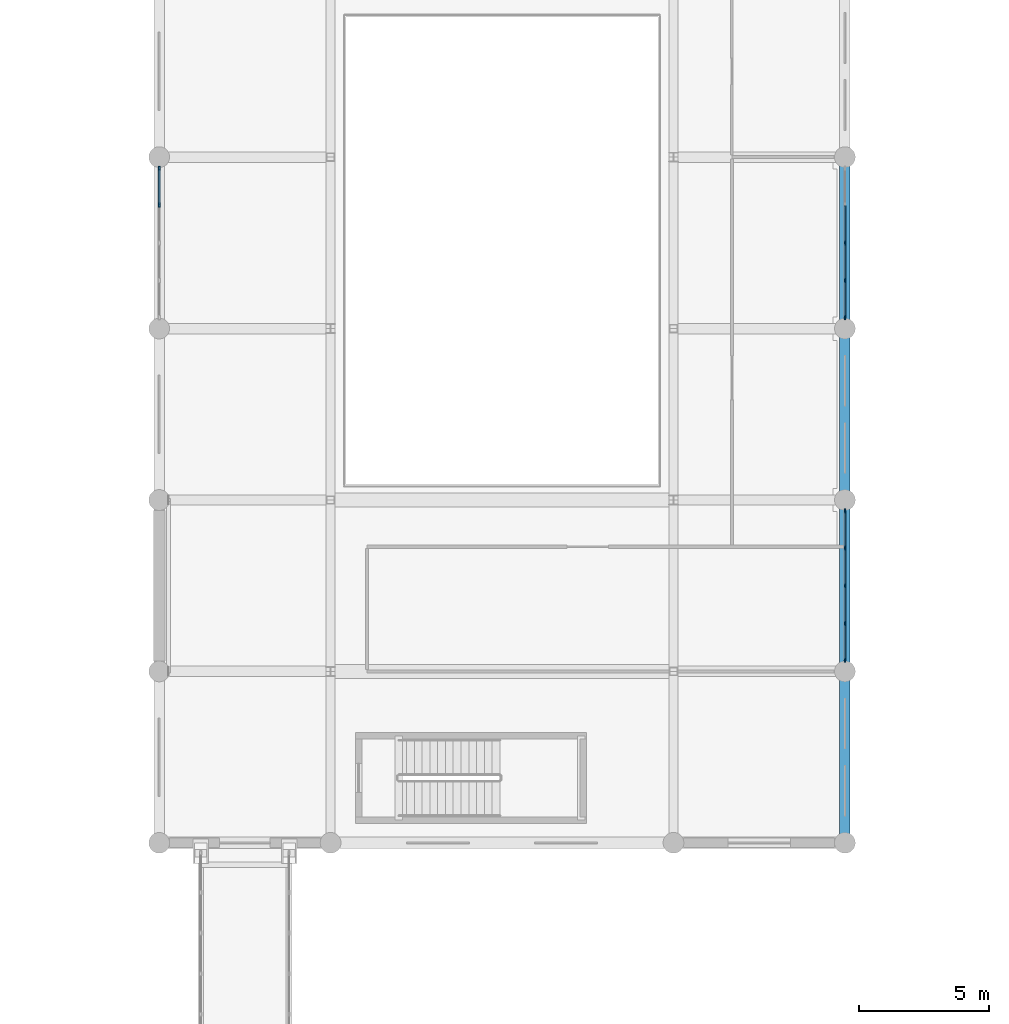
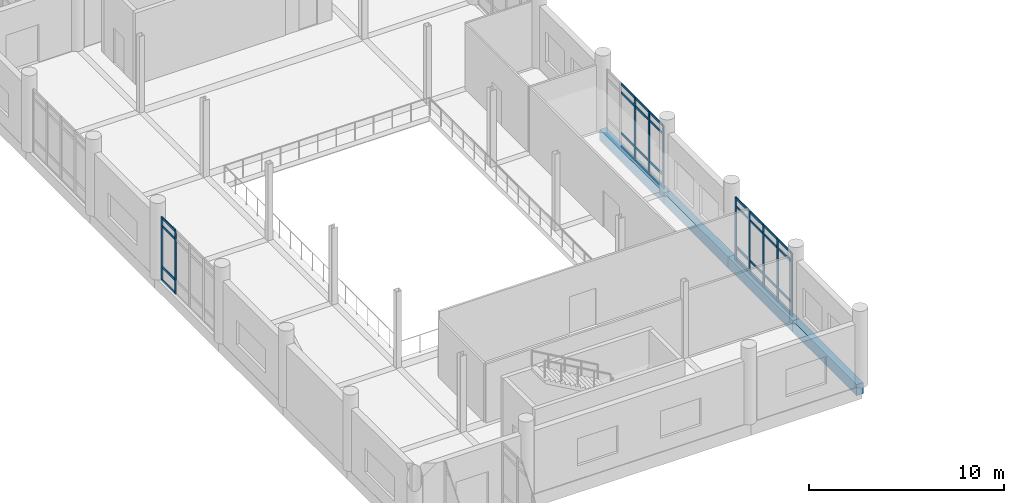
# One storey, part 22 of 101: 42 members, 4 beams, 3 elements without a shape of their own.
"""IFC4 building model written with IfcOpenShell, lengths in metres."""

from ifc_helpers import new_model, si_unit, direction, frame, origin, origin_2d, place, context, subcontext, project, spatial, rectangle, extrude, material, material_profile, profile_set, type_object, element, aggregate, save


model = new_model("IFC4")

# Units and contexts
model_context = context("Model", 3, precision=1e-05, world=origin(), true_north=direction((0.0, 1.0)))
body_context = subcontext(model_context, "Body", "Model", "MODEL_VIEW")
ifc_project = project(units=[si_unit("LENGTHUNIT", "METRE"), si_unit("AREAUNIT", "SQUARE_METRE"), si_unit("VOLUMEUNIT", "CUBIC_METRE"), si_unit("PLANEANGLEUNIT", "RADIAN"), si_unit("MASSUNIT", "GRAM", prefix="KILO")], contexts=[model_context])

# Site, building, storey
site_placement = place(None, origin())
site = spatial("IfcSite", under=ifc_project, at=site_placement, CompositionType="ELEMENT")
building_placement = place(site_placement, origin())
building = spatial("IfcBuilding", under=site, at=building_placement, Name="Dornvale Research Institute", CompositionType="ELEMENT")
storey_placement = place(building_placement, frame((0.0, 0.0, 10.199951171875)))
storey = spatial("IfcBuildingStorey", under=building, at=storey_placement, Name="L02", CompositionType="ELEMENT", Elevation=10.199951171875)

# Curtain wall, members
ifc_material_1 = material(Name="Low-E Argon Double Insulating Glazing Unit", Category="glass")
curtain_wall_type = type_object("IfcCurtainWallType", Name="UnitisedCurtainWall_V2_5810x3950", PredefinedType="USERDEFINED", material=ifc_material_1)
curtain_wall_1_placement = place(storey_placement, origin())
curtain_wall_1 = element("IfcCurtainWall", 1, at=curtain_wall_1_placement, inside=storey, type_object=curtain_wall_type, Name="L02 V2 unitised curtain wall CW-02 #10", ObjectType="UNITISED CURTAIN WALL", PredefinedType="USERDEFINED")
ifc_material_2 = material(Name="Anodized Aluminum AA 6063-T6 Thermally Broken Frame", Category="aluminium")
ifc_material_profile_1 = material_profile(ifc_material_2, rectangle(XDim=0.06494140625, YDim=0.1650390625, at=origin_2d()), Name="ALU MULLION 65x165")
ifc_profile_set_1 = profile_set([ifc_material_profile_1], Name="Anodized Aluminum AA 6063-T6 Thermally Broken Frame")
member_type_1 = type_object("IfcMemberType", Name="Mullion_Atrium_65x165", PredefinedType="MULLION", material=ifc_profile_set_1)
member_1_placement = place(storey_placement, frame((39.60009765625, 64.152587890625, 0.0), z_axis=(0.0, 0.0, 1.0), x_axis=(-1.0, 0.0, 0.0)))
member_1 = element("IfcMember", 2, at=member_1_placement, type_object=member_type_1, Name="CW-02 mullion 4", PredefinedType="MULLION", context=body_context, shape_type="SweptSolid", body=[
    extrude(rectangle(XDim=0.06494140625, YDim=0.1650390625, at=origin_2d()), origin(), (0.0, 0.0, 1.0), 3.949951171875),
])
member_2_placement = place(storey_placement, frame((39.60009765625, 65.572509765625, 0.0), z_axis=(0.0, 0.0, 1.0), x_axis=(-1.0, 0.0, 0.0)))
member_2 = element("IfcMember", 3, at=member_2_placement, type_object=member_type_1, Name="CW-02 mullion 5", PredefinedType="MULLION", context=body_context, shape_type="SweptSolid", body=[
    extrude(rectangle(XDim=0.06494140625, YDim=0.1650390625, at=origin_2d()), origin(), (0.0, 0.0, 1.0), 3.949951171875),
])

curtain_wall_2_placement = place(storey_placement, origin())
curtain_wall_2 = element("IfcCurtainWall", 4, at=curtain_wall_2_placement, inside=storey, type_object=curtain_wall_type, Name="L02 V2 unitised curtain wall CW-02 #13", ObjectType="UNITISED CURTAIN WALL", PredefinedType="USERDEFINED")
member_3_placement = place(storey_placement, frame((66.0, 62.699951171875, 0.0), z_axis=(0.0, 0.0, 1.0), x_axis=(1.0, 0.0, 0.0)))
member_3 = element("IfcMember", 5, at=member_3_placement, type_object=member_type_1, Name="CW-02 mullion 3", PredefinedType="MULLION", context=body_context, shape_type="SweptSolid", body=[
    extrude(rectangle(XDim=0.06494140625, YDim=0.1650390625, at=origin_2d()), origin(), (0.0, 0.0, 1.0), 3.949951171875),
])
member_4_placement = place(storey_placement, frame((66.0, 61.24755859375, 0.0), z_axis=(0.0, 0.0, 1.0), x_axis=(1.0, 0.0, 0.0)))
member_4 = element("IfcMember", 6, at=member_4_placement, type_object=member_type_1, Name="CW-02 mullion 4", PredefinedType="MULLION", context=body_context, shape_type="SweptSolid", body=[
    extrude(rectangle(XDim=0.06494140625, YDim=0.1650390625, at=origin_2d()), origin(), (0.0, 0.0, 1.0), 3.949951171875),
])
member_5_placement = place(storey_placement, frame((66.0, 59.827392578125, 0.0), z_axis=(0.0, 0.0, 1.0), x_axis=(1.0, 0.0, 0.0)))
member_5 = element("IfcMember", 7, at=member_5_placement, type_object=member_type_1, Name="CW-02 mullion 5", PredefinedType="MULLION", context=body_context, shape_type="SweptSolid", body=[
    extrude(rectangle(XDim=0.06494140625, YDim=0.1650390625, at=origin_2d()), origin(), (0.0, 0.0, 1.0), 3.949951171875),
])

curtain_wall_3_placement = place(storey_placement, origin())
curtain_wall_3 = element("IfcCurtainWall", 8, at=curtain_wall_3_placement, inside=storey, type_object=curtain_wall_type, Name="L02 V2 unitised curtain wall CW-02 #14", ObjectType="UNITISED CURTAIN WALL", PredefinedType="USERDEFINED")
member_6_placement = place(storey_placement, frame((66.0, 52.37255859375, 0.0), z_axis=(0.0, 0.0, 1.0), x_axis=(1.0, 0.0, 0.0)))
member_6 = element("IfcMember", 9, at=member_6_placement, type_object=member_type_1, Name="CW-02 mullion 1", PredefinedType="MULLION", context=body_context, shape_type="SweptSolid", body=[
    extrude(rectangle(XDim=0.06494140625, YDim=0.1650390625, at=origin_2d()), origin(), (0.0, 0.0, 1.0), 3.949951171875),
])
member_7_placement = place(storey_placement, frame((66.0, 50.952392578125, 0.0), z_axis=(0.0, 0.0, 1.0), x_axis=(1.0, 0.0, 0.0)))
member_7 = element("IfcMember", 10, at=member_7_placement, type_object=member_type_1, Name="CW-02 mullion 2", PredefinedType="MULLION", context=body_context, shape_type="SweptSolid", body=[
    extrude(rectangle(XDim=0.06494140625, YDim=0.1650390625, at=origin_2d()), origin(), (0.0, 0.0, 1.0), 3.949951171875),
])
member_8_placement = place(storey_placement, frame((66.0, 49.5, 0.0), z_axis=(0.0, 0.0, 1.0), x_axis=(1.0, 0.0, 0.0)))
member_8 = element("IfcMember", 11, at=member_8_placement, type_object=member_type_1, Name="CW-02 mullion 3", PredefinedType="MULLION", context=body_context, shape_type="SweptSolid", body=[
    extrude(rectangle(XDim=0.06494140625, YDim=0.1650390625, at=origin_2d()), origin(), (0.0, 0.0, 1.0), 3.949951171875),
])
member_9_placement = place(storey_placement, frame((66.0, 48.047607421875, 0.0), z_axis=(0.0, 0.0, 1.0), x_axis=(1.0, 0.0, 0.0)))
member_9 = element("IfcMember", 12, at=member_9_placement, type_object=member_type_1, Name="CW-02 mullion 4", PredefinedType="MULLION", context=body_context, shape_type="SweptSolid", body=[
    extrude(rectangle(XDim=0.06494140625, YDim=0.1650390625, at=origin_2d()), origin(), (0.0, 0.0, 1.0), 3.949951171875),
])
member_10_placement = place(storey_placement, frame((66.0, 46.62744140625, 0.0), z_axis=(0.0, 0.0, 1.0), x_axis=(1.0, 0.0, 0.0)))
member_10 = element("IfcMember", 13, at=member_10_placement, type_object=member_type_1, Name="CW-02 mullion 5", PredefinedType="MULLION", context=body_context, shape_type="SweptSolid", body=[
    extrude(rectangle(XDim=0.06494140625, YDim=0.1650390625, at=origin_2d()), origin(), (0.0, 0.0, 1.0), 3.949951171875),
])

# Beams
ifc_material_3 = material(Name="Concrete f'c 45 MPa (C35/45)", Category="concrete")
ifc_material_profile_2 = material_profile(ifc_material_3, rectangle(XDim=0.39990234375, YDim=0.699951171875, at=origin_2d()), Name="RC 400x700")
ifc_profile_set_2 = profile_set([ifc_material_profile_2], Name="Concrete f'c 45 MPa (C35/45)")
beam_type = type_object("IfcBeamType", Name="Spandrel_RC400x700_Ext", PredefinedType="SPANDREL", material=ifc_profile_set_2)
beam_1_placement = place(storey_placement, frame((66.0, 39.60009765625, -0.349853515625), z_axis=(0.0, 1.0, 0.0), x_axis=(-1.0, 0.0, 0.0)))
element("IfcBeam", 14, at=beam_1_placement, inside=storey, type_object=beam_type, Name="L02 perimeter spandrel #826", PredefinedType="SPANDREL", context=body_context, shape_type="SweptSolid", body=[
    extrude(rectangle(XDim=0.39990234375, YDim=0.699951171875, at=origin_2d()), origin(), (0.0, 0.0, 1.0), 6.599853515625),
])
beam_2_placement = place(storey_placement, frame((66.0, 46.199951171875, -0.349853515625), z_axis=(0.0, 1.0, 0.0), x_axis=(-1.0, 0.0, 0.0)))
element("IfcBeam", 15, at=beam_2_placement, inside=storey, type_object=beam_type, Name="L02 perimeter spandrel #827", PredefinedType="SPANDREL", context=body_context, shape_type="SweptSolid", body=[
    extrude(rectangle(XDim=0.39990234375, YDim=0.699951171875, at=origin_2d()), origin(), (0.0, 0.0, 1.0), 6.60009765625),
])
beam_3_placement = place(storey_placement, frame((66.0, 52.800048828125, -0.349853515625), z_axis=(0.0, 1.0, 0.0), x_axis=(-1.0, 0.0, 0.0)))
element("IfcBeam", 16, at=beam_3_placement, inside=storey, type_object=beam_type, Name="L02 perimeter spandrel #828", PredefinedType="SPANDREL", context=body_context, shape_type="SweptSolid", body=[
    extrude(rectangle(XDim=0.39990234375, YDim=0.699951171875, at=origin_2d()), origin(), (0.0, 0.0, 1.0), 6.599853515625),
])
beam_4_placement = place(storey_placement, frame((66.0, 59.39990234375, -0.349853515625), z_axis=(0.0, 1.0, 0.0), x_axis=(-1.0, 0.0, 0.0)))
element("IfcBeam", 17, at=beam_4_placement, inside=storey, type_object=beam_type, Name="L02 perimeter spandrel #829", PredefinedType="SPANDREL", context=body_context, shape_type="SweptSolid", body=[
    extrude(rectangle(XDim=0.39990234375, YDim=0.699951171875, at=origin_2d()), origin(), (0.0, 0.0, 1.0), 6.60009765625),
])

# Member
ifc_material_4 = material(Name="Anodized Aluminum AA 6063-T6 Thermally Broken Frame", Category="aluminium")
ifc_material_profile_3 = material_profile(ifc_material_4, rectangle(XDim=0.06494140625, YDim=0.135009765625, at=origin_2d()), Name="ALU TRANSOM 65x135")
ifc_profile_set_3 = profile_set([ifc_material_profile_3], Name="Anodized Aluminum AA 6063-T6 Thermally Broken Frame")
member_type_2 = type_object("IfcMemberType", Name="Transom_CW_65x135", PredefinedType="USERDEFINED", material=ifc_profile_set_3)
member_11_placement = place(storey_placement, frame((39.60009765625, 64.18505859375, 0.032470703125), z_axis=(0.0, 1.0, 0.0), x_axis=(-1.0, 0.0, 0.0)))
member_11 = element("IfcMember", 18, at=member_11_placement, type_object=member_type_2, Name="CW-02 transom 4.1", ObjectType="TRANSOM", PredefinedType="USERDEFINED", context=body_context, shape_type="SweptSolid", body=[
    extrude(rectangle(XDim=0.06494140625, YDim=0.135009765625, at=origin_2d()), origin(), (0.0, 0.0, 1.0), 1.35498046875),
])

member_12_placement = place(storey_placement, frame((39.60009765625, 64.18505859375, 0.85009765625), z_axis=(0.0, 1.0, 0.0), x_axis=(-1.0, 0.0, 0.0)))
member_12 = element("IfcMember", 19, at=member_12_placement, type_object=member_type_2, Name="CW-02 transom 4.2", ObjectType="TRANSOM", PredefinedType="USERDEFINED", context=body_context, shape_type="SweptSolid", body=[
    extrude(rectangle(XDim=0.06494140625, YDim=0.135009765625, at=origin_2d()), origin(), (0.0, 0.0, 1.0), 1.35498046875),
])

member_13_placement = place(storey_placement, frame((39.60009765625, 64.18505859375, 3.400146484375), z_axis=(0.0, 1.0, 0.0), x_axis=(-1.0, 0.0, 0.0)))
member_13 = element("IfcMember", 20, at=member_13_placement, type_object=member_type_2, Name="CW-02 transom 4.3", ObjectType="TRANSOM", PredefinedType="USERDEFINED", context=body_context, shape_type="SweptSolid", body=[
    extrude(rectangle(XDim=0.06494140625, YDim=0.135009765625, at=origin_2d()), origin(), (0.0, 0.0, 1.0), 1.35498046875),
])

member_14_placement = place(storey_placement, frame((39.60009765625, 64.18505859375, 3.91748046875), z_axis=(0.0, 1.0, 0.0), x_axis=(-1.0, 0.0, 0.0)))
member_14 = element("IfcMember", 21, at=member_14_placement, type_object=member_type_2, Name="CW-02 transom 4.4", ObjectType="TRANSOM", PredefinedType="USERDEFINED", context=body_context, shape_type="SweptSolid", body=[
    extrude(rectangle(XDim=0.06494140625, YDim=0.135009765625, at=origin_2d()), origin(), (0.0, 0.0, 1.0), 1.35498046875),
])

aggregate(curtain_wall_1, [member_1, member_2, member_11, member_12, member_13, member_14])

member_15_placement = place(storey_placement, frame((66.0, 64.1201171875, 0.032470703125), z_axis=(0.0, -1.0, 0.0), x_axis=(1.0, 0.0, 0.0)))
member_15 = element("IfcMember", 22, at=member_15_placement, type_object=member_type_2, Name="CW-02 transom 2.1", ObjectType="TRANSOM", PredefinedType="USERDEFINED", context=body_context, shape_type="SweptSolid", body=[
    extrude(rectangle(XDim=0.06494140625, YDim=0.135009765625, at=origin_2d()), origin(), (0.0, 0.0, 1.0), 1.3876953125),
])

member_16_placement = place(storey_placement, frame((66.0, 64.1201171875, 0.85009765625), z_axis=(0.0, -1.0, 0.0), x_axis=(1.0, 0.0, 0.0)))
member_16 = element("IfcMember", 23, at=member_16_placement, type_object=member_type_2, Name="CW-02 transom 2.2", ObjectType="TRANSOM", PredefinedType="USERDEFINED", context=body_context, shape_type="SweptSolid", body=[
    extrude(rectangle(XDim=0.06494140625, YDim=0.135009765625, at=origin_2d()), origin(), (0.0, 0.0, 1.0), 1.3876953125),
])

member_17_placement = place(storey_placement, frame((66.0, 64.1201171875, 3.400146484375), z_axis=(0.0, -1.0, 0.0), x_axis=(1.0, 0.0, 0.0)))
member_17 = element("IfcMember", 24, at=member_17_placement, type_object=member_type_2, Name="CW-02 transom 2.3", ObjectType="TRANSOM", PredefinedType="USERDEFINED", context=body_context, shape_type="SweptSolid", body=[
    extrude(rectangle(XDim=0.06494140625, YDim=0.135009765625, at=origin_2d()), origin(), (0.0, 0.0, 1.0), 1.3876953125),
])

member_18_placement = place(storey_placement, frame((66.0, 64.1201171875, 3.91748046875), z_axis=(0.0, -1.0, 0.0), x_axis=(1.0, 0.0, 0.0)))
member_18 = element("IfcMember", 25, at=member_18_placement, type_object=member_type_2, Name="CW-02 transom 2.4", ObjectType="TRANSOM", PredefinedType="USERDEFINED", context=body_context, shape_type="SweptSolid", body=[
    extrude(rectangle(XDim=0.06494140625, YDim=0.135009765625, at=origin_2d()), origin(), (0.0, 0.0, 1.0), 1.3876953125),
])

member_19_placement = place(storey_placement, frame((66.0, 62.66748046875, 0.032470703125), z_axis=(0.0, -1.0, 0.0), x_axis=(1.0, 0.0, 0.0)))
member_19 = element("IfcMember", 26, at=member_19_placement, type_object=member_type_2, Name="CW-02 transom 3.1", ObjectType="TRANSOM", PredefinedType="USERDEFINED", context=body_context, shape_type="SweptSolid", body=[
    extrude(rectangle(XDim=0.06494140625, YDim=0.135009765625, at=origin_2d()), origin(), (0.0, 0.0, 1.0), 1.387451171875),
])

member_20_placement = place(storey_placement, frame((66.0, 62.66748046875, 0.85009765625), z_axis=(0.0, -1.0, 0.0), x_axis=(1.0, 0.0, 0.0)))
member_20 = element("IfcMember", 27, at=member_20_placement, type_object=member_type_2, Name="CW-02 transom 3.2", ObjectType="TRANSOM", PredefinedType="USERDEFINED", context=body_context, shape_type="SweptSolid", body=[
    extrude(rectangle(XDim=0.06494140625, YDim=0.135009765625, at=origin_2d()), origin(), (0.0, 0.0, 1.0), 1.387451171875),
])

member_21_placement = place(storey_placement, frame((66.0, 62.66748046875, 3.400146484375), z_axis=(0.0, -1.0, 0.0), x_axis=(1.0, 0.0, 0.0)))
member_21 = element("IfcMember", 28, at=member_21_placement, type_object=member_type_2, Name="CW-02 transom 3.3", ObjectType="TRANSOM", PredefinedType="USERDEFINED", context=body_context, shape_type="SweptSolid", body=[
    extrude(rectangle(XDim=0.06494140625, YDim=0.135009765625, at=origin_2d()), origin(), (0.0, 0.0, 1.0), 1.387451171875),
])

member_22_placement = place(storey_placement, frame((66.0, 62.66748046875, 3.91748046875), z_axis=(0.0, -1.0, 0.0), x_axis=(1.0, 0.0, 0.0)))
member_22 = element("IfcMember", 29, at=member_22_placement, type_object=member_type_2, Name="CW-02 transom 3.4", ObjectType="TRANSOM", PredefinedType="USERDEFINED", context=body_context, shape_type="SweptSolid", body=[
    extrude(rectangle(XDim=0.06494140625, YDim=0.135009765625, at=origin_2d()), origin(), (0.0, 0.0, 1.0), 1.387451171875),
])

member_23_placement = place(storey_placement, frame((66.0, 61.215087890625, 0.032470703125), z_axis=(0.0, -1.0, 0.0), x_axis=(1.0, 0.0, 0.0)))
member_23 = element("IfcMember", 30, at=member_23_placement, type_object=member_type_2, Name="CW-02 transom 4.1", ObjectType="TRANSOM", PredefinedType="USERDEFINED", context=body_context, shape_type="SweptSolid", body=[
    extrude(rectangle(XDim=0.06494140625, YDim=0.135009765625, at=origin_2d()), origin(), (0.0, 0.0, 1.0), 1.35498046875),
])

member_24_placement = place(storey_placement, frame((66.0, 61.215087890625, 0.85009765625), z_axis=(0.0, -1.0, 0.0), x_axis=(1.0, 0.0, 0.0)))
member_24 = element("IfcMember", 31, at=member_24_placement, type_object=member_type_2, Name="CW-02 transom 4.2", ObjectType="TRANSOM", PredefinedType="USERDEFINED", context=body_context, shape_type="SweptSolid", body=[
    extrude(rectangle(XDim=0.06494140625, YDim=0.135009765625, at=origin_2d()), origin(), (0.0, 0.0, 1.0), 1.35498046875),
])

member_25_placement = place(storey_placement, frame((66.0, 61.215087890625, 3.400146484375), z_axis=(0.0, -1.0, 0.0), x_axis=(1.0, 0.0, 0.0)))
member_25 = element("IfcMember", 32, at=member_25_placement, type_object=member_type_2, Name="CW-02 transom 4.3", ObjectType="TRANSOM", PredefinedType="USERDEFINED", context=body_context, shape_type="SweptSolid", body=[
    extrude(rectangle(XDim=0.06494140625, YDim=0.135009765625, at=origin_2d()), origin(), (0.0, 0.0, 1.0), 1.35498046875),
])

member_26_placement = place(storey_placement, frame((66.0, 61.215087890625, 3.91748046875), z_axis=(0.0, -1.0, 0.0), x_axis=(1.0, 0.0, 0.0)))
member_26 = element("IfcMember", 33, at=member_26_placement, type_object=member_type_2, Name="CW-02 transom 4.4", ObjectType="TRANSOM", PredefinedType="USERDEFINED", context=body_context, shape_type="SweptSolid", body=[
    extrude(rectangle(XDim=0.06494140625, YDim=0.135009765625, at=origin_2d()), origin(), (0.0, 0.0, 1.0), 1.35498046875),
])

aggregate(curtain_wall_2, [member_3, member_4, member_5, member_15, member_16, member_17, member_18, member_19, member_20, member_21, member_22, member_23, member_24, member_25, member_26])

member_27_placement = place(storey_placement, frame((66.0, 52.340087890625, 0.032470703125), z_axis=(0.0, -1.0, 0.0), x_axis=(1.0, 0.0, 0.0)))
member_27 = element("IfcMember", 34, at=member_27_placement, type_object=member_type_2, Name="CW-02 transom 1.1", ObjectType="TRANSOM", PredefinedType="USERDEFINED", context=body_context, shape_type="SweptSolid", body=[
    extrude(rectangle(XDim=0.06494140625, YDim=0.135009765625, at=origin_2d()), origin(), (0.0, 0.0, 1.0), 1.35498046875),
])

member_28_placement = place(storey_placement, frame((66.0, 52.340087890625, 0.85009765625), z_axis=(0.0, -1.0, 0.0), x_axis=(1.0, 0.0, 0.0)))
member_28 = element("IfcMember", 35, at=member_28_placement, type_object=member_type_2, Name="CW-02 transom 1.2", ObjectType="TRANSOM", PredefinedType="USERDEFINED", context=body_context, shape_type="SweptSolid", body=[
    extrude(rectangle(XDim=0.06494140625, YDim=0.135009765625, at=origin_2d()), origin(), (0.0, 0.0, 1.0), 1.35498046875),
])

member_29_placement = place(storey_placement, frame((66.0, 52.340087890625, 3.400146484375), z_axis=(0.0, -1.0, 0.0), x_axis=(1.0, 0.0, 0.0)))
member_29 = element("IfcMember", 36, at=member_29_placement, type_object=member_type_2, Name="CW-02 transom 1.3", ObjectType="TRANSOM", PredefinedType="USERDEFINED", context=body_context, shape_type="SweptSolid", body=[
    extrude(rectangle(XDim=0.06494140625, YDim=0.135009765625, at=origin_2d()), origin(), (0.0, 0.0, 1.0), 1.35498046875),
])

member_30_placement = place(storey_placement, frame((66.0, 52.340087890625, 3.91748046875), z_axis=(0.0, -1.0, 0.0), x_axis=(1.0, 0.0, 0.0)))
member_30 = element("IfcMember", 37, at=member_30_placement, type_object=member_type_2, Name="CW-02 transom 1.4", ObjectType="TRANSOM", PredefinedType="USERDEFINED", context=body_context, shape_type="SweptSolid", body=[
    extrude(rectangle(XDim=0.06494140625, YDim=0.135009765625, at=origin_2d()), origin(), (0.0, 0.0, 1.0), 1.35498046875),
])

member_31_placement = place(storey_placement, frame((66.0, 50.919921875, 0.032470703125), z_axis=(0.0, -1.0, 0.0), x_axis=(1.0, 0.0, 0.0)))
member_31 = element("IfcMember", 38, at=member_31_placement, type_object=member_type_2, Name="CW-02 transom 2.1", ObjectType="TRANSOM", PredefinedType="USERDEFINED", context=body_context, shape_type="SweptSolid", body=[
    extrude(rectangle(XDim=0.06494140625, YDim=0.135009765625, at=origin_2d()), origin(), (0.0, 0.0, 1.0), 1.387451171875),
])

member_32_placement = place(storey_placement, frame((66.0, 50.919921875, 0.85009765625), z_axis=(0.0, -1.0, 0.0), x_axis=(1.0, 0.0, 0.0)))
member_32 = element("IfcMember", 39, at=member_32_placement, type_object=member_type_2, Name="CW-02 transom 2.2", ObjectType="TRANSOM", PredefinedType="USERDEFINED", context=body_context, shape_type="SweptSolid", body=[
    extrude(rectangle(XDim=0.06494140625, YDim=0.135009765625, at=origin_2d()), origin(), (0.0, 0.0, 1.0), 1.387451171875),
])

member_33_placement = place(storey_placement, frame((66.0, 50.919921875, 3.400146484375), z_axis=(0.0, -1.0, 0.0), x_axis=(1.0, 0.0, 0.0)))
member_33 = element("IfcMember", 40, at=member_33_placement, type_object=member_type_2, Name="CW-02 transom 2.3", ObjectType="TRANSOM", PredefinedType="USERDEFINED", context=body_context, shape_type="SweptSolid", body=[
    extrude(rectangle(XDim=0.06494140625, YDim=0.135009765625, at=origin_2d()), origin(), (0.0, 0.0, 1.0), 1.387451171875),
])

member_34_placement = place(storey_placement, frame((66.0, 50.919921875, 3.91748046875), z_axis=(0.0, -1.0, 0.0), x_axis=(1.0, 0.0, 0.0)))
member_34 = element("IfcMember", 41, at=member_34_placement, type_object=member_type_2, Name="CW-02 transom 2.4", ObjectType="TRANSOM", PredefinedType="USERDEFINED", context=body_context, shape_type="SweptSolid", body=[
    extrude(rectangle(XDim=0.06494140625, YDim=0.135009765625, at=origin_2d()), origin(), (0.0, 0.0, 1.0), 1.387451171875),
])

member_35_placement = place(storey_placement, frame((66.0, 49.467529296875, 0.032470703125), z_axis=(0.0, -1.0, 0.0), x_axis=(1.0, 0.0, 0.0)))
member_35 = element("IfcMember", 42, at=member_35_placement, type_object=member_type_2, Name="CW-02 transom 3.1", ObjectType="TRANSOM", PredefinedType="USERDEFINED", context=body_context, shape_type="SweptSolid", body=[
    extrude(rectangle(XDim=0.06494140625, YDim=0.135009765625, at=origin_2d()), origin(), (0.0, 0.0, 1.0), 1.387451171875),
])

member_36_placement = place(storey_placement, frame((66.0, 49.467529296875, 0.85009765625), z_axis=(0.0, -1.0, 0.0), x_axis=(1.0, 0.0, 0.0)))
member_36 = element("IfcMember", 43, at=member_36_placement, type_object=member_type_2, Name="CW-02 transom 3.2", ObjectType="TRANSOM", PredefinedType="USERDEFINED", context=body_context, shape_type="SweptSolid", body=[
    extrude(rectangle(XDim=0.06494140625, YDim=0.135009765625, at=origin_2d()), origin(), (0.0, 0.0, 1.0), 1.387451171875),
])

member_37_placement = place(storey_placement, frame((66.0, 49.467529296875, 3.400146484375), z_axis=(0.0, -1.0, 0.0), x_axis=(1.0, 0.0, 0.0)))
member_37 = element("IfcMember", 44, at=member_37_placement, type_object=member_type_2, Name="CW-02 transom 3.3", ObjectType="TRANSOM", PredefinedType="USERDEFINED", context=body_context, shape_type="SweptSolid", body=[
    extrude(rectangle(XDim=0.06494140625, YDim=0.135009765625, at=origin_2d()), origin(), (0.0, 0.0, 1.0), 1.387451171875),
])

member_38_placement = place(storey_placement, frame((66.0, 49.467529296875, 3.91748046875), z_axis=(0.0, -1.0, 0.0), x_axis=(1.0, 0.0, 0.0)))
member_38 = element("IfcMember", 45, at=member_38_placement, type_object=member_type_2, Name="CW-02 transom 3.4", ObjectType="TRANSOM", PredefinedType="USERDEFINED", context=body_context, shape_type="SweptSolid", body=[
    extrude(rectangle(XDim=0.06494140625, YDim=0.135009765625, at=origin_2d()), origin(), (0.0, 0.0, 1.0), 1.387451171875),
])

member_39_placement = place(storey_placement, frame((66.0, 48.014892578125, 0.032470703125), z_axis=(0.0, -1.0, 0.0), x_axis=(1.0, 0.0, 0.0)))
member_39 = element("IfcMember", 46, at=member_39_placement, type_object=member_type_2, Name="CW-02 transom 4.1", ObjectType="TRANSOM", PredefinedType="USERDEFINED", context=body_context, shape_type="SweptSolid", body=[
    extrude(rectangle(XDim=0.06494140625, YDim=0.135009765625, at=origin_2d()), origin(), (0.0, 0.0, 1.0), 1.35498046875),
])

member_40_placement = place(storey_placement, frame((66.0, 48.014892578125, 0.85009765625), z_axis=(0.0, -1.0, 0.0), x_axis=(1.0, 0.0, 0.0)))
member_40 = element("IfcMember", 47, at=member_40_placement, type_object=member_type_2, Name="CW-02 transom 4.2", ObjectType="TRANSOM", PredefinedType="USERDEFINED", context=body_context, shape_type="SweptSolid", body=[
    extrude(rectangle(XDim=0.06494140625, YDim=0.135009765625, at=origin_2d()), origin(), (0.0, 0.0, 1.0), 1.35498046875),
])

member_41_placement = place(storey_placement, frame((66.0, 48.014892578125, 3.400146484375), z_axis=(0.0, -1.0, 0.0), x_axis=(1.0, 0.0, 0.0)))
member_41 = element("IfcMember", 48, at=member_41_placement, type_object=member_type_2, Name="CW-02 transom 4.3", ObjectType="TRANSOM", PredefinedType="USERDEFINED", context=body_context, shape_type="SweptSolid", body=[
    extrude(rectangle(XDim=0.06494140625, YDim=0.135009765625, at=origin_2d()), origin(), (0.0, 0.0, 1.0), 1.35498046875),
])

member_42_placement = place(storey_placement, frame((66.0, 48.014892578125, 3.91748046875), z_axis=(0.0, -1.0, 0.0), x_axis=(1.0, 0.0, 0.0)))
member_42 = element("IfcMember", 49, at=member_42_placement, type_object=member_type_2, Name="CW-02 transom 4.4", ObjectType="TRANSOM", PredefinedType="USERDEFINED", context=body_context, shape_type="SweptSolid", body=[
    extrude(rectangle(XDim=0.06494140625, YDim=0.135009765625, at=origin_2d()), origin(), (0.0, 0.0, 1.0), 1.35498046875),
])

aggregate(curtain_wall_3, [member_6, member_7, member_8, member_9, member_10, member_27, member_28, member_29, member_30, member_31, member_32, member_33, member_34, member_35, member_36, member_37, member_38, member_39, member_40, member_41, member_42])

save(model, "model.ifc")
